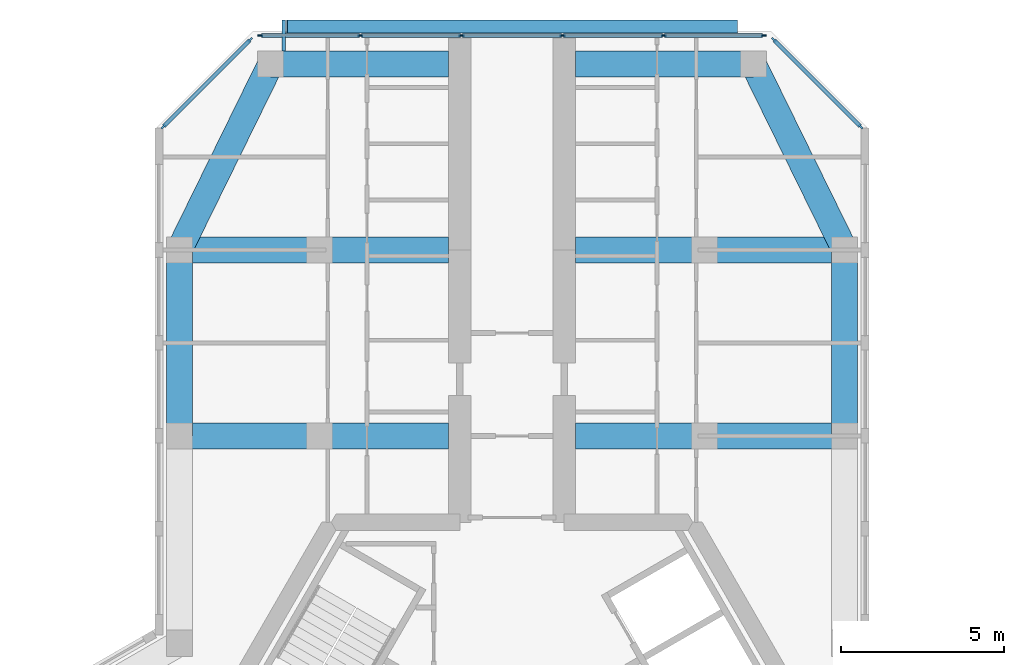
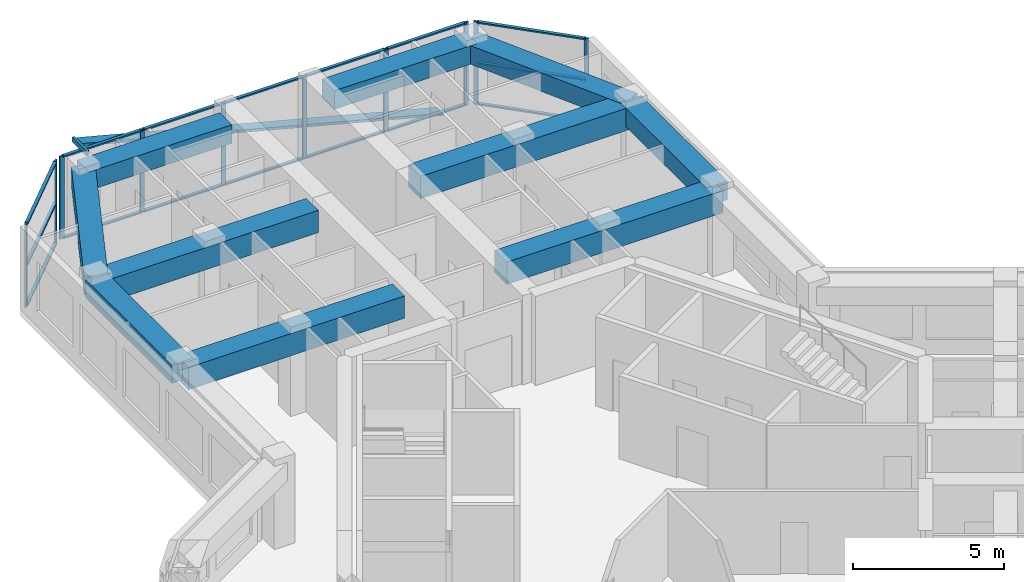
# One storey, part 5 of 14: 28 members, 10 beams, 3 elements without a shape of their own.
"""IFC4 building model written with IfcOpenShell, lengths in metres."""

from ifc_helpers import new_model, si_unit, direction, frame, origin, origin_2d, place, context, subcontext, project, spatial, rectangle, hollow_rectangle, extrude, material, material_profile, profile_set, type_object, element, aggregate, save


model = new_model("IFC4")

# Units and contexts
model_context = context("Model", 3, precision=1e-05, world=origin(), true_north=direction((0.0, 1.0)))
body_context = subcontext(model_context, "Body", "Model", "MODEL_VIEW")
ifc_project = project(units=[si_unit("LENGTHUNIT", "METRE"), si_unit("AREAUNIT", "SQUARE_METRE"), si_unit("VOLUMEUNIT", "CUBIC_METRE"), si_unit("PLANEANGLEUNIT", "RADIAN"), si_unit("MASSUNIT", "GRAM", prefix="KILO")], contexts=[model_context])

# Site, building, storey
site_placement = place(None, origin())
site = spatial("IfcSite", under=ifc_project, at=site_placement, CompositionType="ELEMENT")
building_placement = place(site_placement, origin())
building = spatial("IfcBuilding", under=site, at=building_placement, Name="Kosmar Iwan School Tower", CompositionType="ELEMENT")
storey_placement = place(building_placement, frame((0.0, 0.0, 285.39990234375)))
storey = spatial("IfcBuildingStorey", under=building, at=storey_placement, Name="L72", CompositionType="ELEMENT", Elevation=285.39990234375)

# Members
ifc_material_1 = material(Name="Black anodised aluminium", Category="aluminium")
ifc_material_profile_1 = material_profile(ifc_material_1, rectangle(XDim=0.10009765625, YDim=0.39990234375, at=origin_2d()), Name="FIN 100x400")
ifc_profile_set_1 = profile_set([ifc_material_profile_1], Name="Black anodised aluminium")
member_type_1 = type_object("IfcMemberType", Name="Diagonal fin 100x400", PredefinedType="USERDEFINED", material=ifc_profile_set_1)
member_1_placement = place(storey_placement, frame((6.898193359375, 24.800048828125, -0.14990234375), z_axis=(-0.967599450335, 0.0, 0.252490205179), x_axis=(0.252490205179, 0.0, 0.967599450335)))
element("IfcMember", 1, at=member_1_placement, inside=storey, type_object=member_type_1, Name="Diagonal fin L72-F08", ObjectType="FIN", PredefinedType="USERDEFINED", context=body_context, shape_type="SweptSolid", body=[
    extrude(rectangle(XDim=0.10009765625, YDim=0.39990234375, at=origin_2d()), origin(), (0.0, 0.0, 1.0), 14.25830078125),
])
ifc_material_2 = material(Name="Steel S355", Category="steel")
ifc_material_profile_2 = material_profile(ifc_material_2, hollow_rectangle(XDim=0.10009765625, YDim=0.199951171875, WallThickness=0.008056640625, at=origin_2d()), Name="RHS 200x100x8")
ifc_profile_set_2 = profile_set([ifc_material_profile_2], Name="Steel S355")
member_type_2 = type_object("IfcMemberType", Name="Fin bracket RHS 200x100", PredefinedType="USERDEFINED", material=ifc_profile_set_2)
member_2_placement = place(storey_placement, frame((-7.0, 24.050048828125, 3.47509765625), z_axis=(0.0, 1.0, 0.0), x_axis=(-1.0, 0.0, 0.0)))
element("IfcMember", 2, at=member_2_placement, inside=storey, type_object=member_type_2, Name="Fin bracket L73", ObjectType="FIN BRACKET", PredefinedType="USERDEFINED", context=body_context, shape_type="SweptSolid", body=[
    extrude(hollow_rectangle(XDim=0.10009765625, YDim=0.199951171875, WallThickness=0.008056640625, at=origin_2d()), origin(), (0.0, 0.0, 1.0), 0.949951171875),
])

# Curtain wall, members
ifc_material_3 = material(Name="Dark glass in black aluminium frame", Category="aluminium")
curtain_wall_type_1 = type_object("IfcCurtainWallType", Name="Chamfer curtain wall dark glass", PredefinedType="USERDEFINED", material=ifc_material_3)
curtain_wall_1_placement = place(storey_placement, origin())
curtain_wall_1 = element("IfcCurtainWall", 3, at=curtain_wall_1_placement, inside=storey, type_object=curtain_wall_type_1, Name="Curtain wall L72-F07", ObjectType="FACETED CURTAIN WALL", PredefinedType="USERDEFINED")
ifc_material_4 = material(Name="Black anodised aluminium", Category="aluminium")
ifc_material_profile_3 = material_profile(ifc_material_4, rectangle(XDim=0.06005859375, YDim=0.159912109375, at=origin_2d()), Name="MULLION 60x160")
ifc_profile_set_3 = profile_set([ifc_material_profile_3], Name="Black anodised aluminium")
member_type_3 = type_object("IfcMemberType", Name="Mullion 60x160", PredefinedType="MULLION", material=ifc_profile_set_3)
member_3_placement = place(storey_placement, frame((10.69775390625, 21.7255859375, 0.0), z_axis=(0.0, 0.0, 1.0), x_axis=(-0.707106781187, -0.707106781187, 0.0)))
member_3 = element("IfcMember", 4, at=member_3_placement, type_object=member_type_3, Name="CW2 mullion 1", PredefinedType="MULLION", context=body_context, shape_type="SweptSolid", body=[
    extrude(rectangle(XDim=0.06005859375, YDim=0.159912109375, at=origin_2d()), origin(), (0.0, 0.0, 1.0), 3.35009765625),
])
member_4_placement = place(storey_placement, frame((8.025390625, 24.397705078125, 0.0), z_axis=(0.0, 0.0, 1.0), x_axis=(-0.707106781187, -0.707106781187, 0.0)))
member_4 = element("IfcMember", 5, at=member_4_placement, type_object=member_type_3, Name="CW2 mullion 2", PredefinedType="MULLION", context=body_context, shape_type="SweptSolid", body=[
    extrude(rectangle(XDim=0.06005859375, YDim=0.159912109375, at=origin_2d()), origin(), (0.0, 0.0, 1.0), 3.35009765625),
])

ifc_material_5 = material(Name="Dark glass in black aluminium frame", Category="aluminium")
curtain_wall_type_2 = type_object("IfcCurtainWallType", Name="Tower curtain wall dark glass", PredefinedType="USERDEFINED", material=ifc_material_5)
curtain_wall_2_placement = place(storey_placement, origin())
curtain_wall_2 = element("IfcCurtainWall", 6, at=curtain_wall_2_placement, inside=storey, type_object=curtain_wall_type_2, Name="Curtain wall L72-F08", ObjectType="UNITISED CURTAIN WALL", PredefinedType="USERDEFINED")
member_5_placement = place(storey_placement, frame((7.71826171875, 24.52490234375, 0.0), z_axis=(0.0, 0.0, 1.0), x_axis=(0.0, -1.0, 0.0)))
member_5 = element("IfcMember", 7, at=member_5_placement, type_object=member_type_3, Name="CW1 mullion 1", PredefinedType="MULLION", context=body_context, shape_type="SweptSolid", body=[
    extrude(rectangle(XDim=0.06005859375, YDim=0.159912109375, at=origin_2d()), origin(), (0.0, 0.0, 1.0), 3.35009765625),
])
member_6_placement = place(storey_placement, frame((4.64892578125, 24.52490234375, 0.0), z_axis=(0.0, 0.0, 1.0), x_axis=(0.0, -1.0, 0.0)))
member_6 = element("IfcMember", 8, at=member_6_placement, type_object=member_type_3, Name="CW1 mullion 2", PredefinedType="MULLION", context=body_context, shape_type="SweptSolid", body=[
    extrude(rectangle(XDim=0.06005859375, YDim=0.159912109375, at=origin_2d()), origin(), (0.0, 0.0, 1.0), 3.35009765625),
])
member_7_placement = place(storey_placement, frame((1.549560546875, 24.52490234375, 0.0), z_axis=(0.0, 0.0, 1.0), x_axis=(0.0, -1.0, 0.0)))
member_7 = element("IfcMember", 9, at=member_7_placement, type_object=member_type_3, Name="CW1 mullion 3", PredefinedType="MULLION", context=body_context, shape_type="SweptSolid", body=[
    extrude(rectangle(XDim=0.06005859375, YDim=0.159912109375, at=origin_2d()), origin(), (0.0, 0.0, 1.0), 3.35009765625),
])
member_8_placement = place(storey_placement, frame((-1.549560546875, 24.52490234375, 0.0), z_axis=(0.0, 0.0, 1.0), x_axis=(0.0, -1.0, 0.0)))
member_8 = element("IfcMember", 10, at=member_8_placement, type_object=member_type_3, Name="CW1 mullion 4", PredefinedType="MULLION", context=body_context, shape_type="SweptSolid", body=[
    extrude(rectangle(XDim=0.06005859375, YDim=0.159912109375, at=origin_2d()), origin(), (0.0, 0.0, 1.0), 3.35009765625),
])
member_9_placement = place(storey_placement, frame((-4.64892578125, 24.52490234375, 0.0), z_axis=(0.0, 0.0, 1.0), x_axis=(0.0, -1.0, 0.0)))
member_9 = element("IfcMember", 11, at=member_9_placement, type_object=member_type_3, Name="CW1 mullion 5", PredefinedType="MULLION", context=body_context, shape_type="SweptSolid", body=[
    extrude(rectangle(XDim=0.06005859375, YDim=0.159912109375, at=origin_2d()), origin(), (0.0, 0.0, 1.0), 3.35009765625),
])
member_10_placement = place(storey_placement, frame((-7.71826171875, 24.52490234375, 0.0), z_axis=(0.0, 0.0, 1.0), x_axis=(0.0, -1.0, 0.0)))
member_10 = element("IfcMember", 12, at=member_10_placement, type_object=member_type_3, Name="CW1 mullion 6", PredefinedType="MULLION", context=body_context, shape_type="SweptSolid", body=[
    extrude(rectangle(XDim=0.06005859375, YDim=0.159912109375, at=origin_2d()), origin(), (0.0, 0.0, 1.0), 3.35009765625),
])

curtain_wall_3_placement = place(storey_placement, origin())
curtain_wall_3 = element("IfcCurtainWall", 13, at=curtain_wall_3_placement, inside=storey, type_object=curtain_wall_type_1, Name="Curtain wall L72-F09", ObjectType="FACETED CURTAIN WALL", PredefinedType="USERDEFINED")
member_11_placement = place(storey_placement, frame((-8.025390625, 24.397705078125, 0.0), z_axis=(0.0, 0.0, 1.0), x_axis=(0.707106781187, -0.707106781187, 0.0)))
member_11 = element("IfcMember", 14, at=member_11_placement, type_object=member_type_3, Name="CW2 mullion 1", PredefinedType="MULLION", context=body_context, shape_type="SweptSolid", body=[
    extrude(rectangle(XDim=0.06005859375, YDim=0.159912109375, at=origin_2d()), origin(), (0.0, 0.0, 1.0), 3.35009765625),
])
member_12_placement = place(storey_placement, frame((-10.69775390625, 21.7255859375, 0.0), z_axis=(0.0, 0.0, 1.0), x_axis=(0.707106781187, -0.707106781187, 0.0)))
member_12 = element("IfcMember", 15, at=member_12_placement, type_object=member_type_3, Name="CW2 mullion 2", PredefinedType="MULLION", context=body_context, shape_type="SweptSolid", body=[
    extrude(rectangle(XDim=0.06005859375, YDim=0.159912109375, at=origin_2d()), origin(), (0.0, 0.0, 1.0), 3.35009765625),
])

# Beams
ifc_material_6 = material(Name="Concrete C50/60", Category="concrete")
ifc_material_profile_4 = material_profile(ifc_material_6, rectangle(XDim=0.800048828125, YDim=0.75, at=origin_2d()), Name="RC 800x750")
ifc_profile_set_4 = profile_set([ifc_material_profile_4], Name="Concrete C50/60")
beam_type_1 = type_object("IfcBeamType", Name="RC edge beam 800x750", PredefinedType="BEAM", material=ifc_profile_set_4)
for number, where, z_axis, x_axis, name in (
    (16, (-10.199951171875, 12.25, 2.97509765625), (0.0, 1.0, 0.0), (-1.0, 0.0, 0.0), "Edge beam AL2"),
    (17, (10.199951171875, 12.25, 2.97509765625), (0.0, 1.0, 0.0), (-1.0, 0.0, 0.0), "Edge beam AR2"),
):
    element("IfcBeam", number, at=place(storey_placement, frame(where, z_axis=z_axis, x_axis=x_axis)), inside=storey, type_object=beam_type_1, Name=name, PredefinedType="BEAM", context=body_context, shape_type="SweptSolid", body=[
        extrude(rectangle(XDim=0.800048828125, YDim=0.75, at=origin_2d()), origin(), (0.0, 0.0, 1.0), 5.699951171875),
    ])
ifc_material_7 = material(Name="Concrete C50/60", Category="concrete")
ifc_material_profile_5 = material_profile(ifc_material_7, rectangle(XDim=0.800048828125, YDim=0.75, at=origin_2d()), Name="RC 800x750")
ifc_profile_set_5 = profile_set([ifc_material_profile_5], Name="Concrete C50/60")
beam_type_2 = type_object("IfcBeamType", Name="RC tip beam 800x750", PredefinedType="BEAM", material=ifc_profile_set_5)
beam_1_placement = place(storey_placement, frame((-10.199951171875, 17.949951171875, 2.97509765625), z_axis=(0.440913116462, 0.897549788999, 0.0), x_axis=(-0.897549788999, 0.440913116462, 0.0)))
element("IfcBeam", 18, at=beam_1_placement, inside=storey, type_object=beam_type_2, Name="Tip beam AL", PredefinedType="BEAM", context=body_context, shape_type="SweptSolid", body=[
    extrude(rectangle(XDim=0.800048828125, YDim=0.75, at=origin_2d()), origin(), (0.0, 0.0, 1.0), 6.3505859375),
])
beam_2_placement = place(storey_placement, frame((-7.39990234375, 23.64990234375, 2.97509765625), z_axis=(1.0, 0.0, 0.0), x_axis=(0.0, 1.0, 0.0)))
element("IfcBeam", 19, at=beam_2_placement, inside=storey, type_object=beam_type_2, Name="Tip beam AL to corridor wall", PredefinedType="BEAM", context=body_context, shape_type="SweptSolid", body=[
    extrude(rectangle(XDim=0.800048828125, YDim=0.75, at=origin_2d()), origin(), (0.0, 0.0, 1.0), 5.449951171875),
])
beam_3_placement = place(storey_placement, frame((10.199951171875, 17.949951171875, 2.97509765625), z_axis=(-0.440913116462, 0.897549788999, 0.0), x_axis=(-0.897549788999, -0.440913116462, 0.0)))
element("IfcBeam", 20, at=beam_3_placement, inside=storey, type_object=beam_type_2, Name="Tip beam AR", PredefinedType="BEAM", context=body_context, shape_type="SweptSolid", body=[
    extrude(rectangle(XDim=0.800048828125, YDim=0.75, at=origin_2d()), origin(), (0.0, 0.0, 1.0), 6.3505859375),
])
beam_4_placement = place(storey_placement, frame((7.39990234375, 23.64990234375, 2.97509765625), z_axis=(-1.0, 0.0, 0.0), x_axis=(0.0, -1.0, 0.0)))
element("IfcBeam", 21, at=beam_4_placement, inside=storey, type_object=beam_type_2, Name="Tip beam AR to corridor wall", PredefinedType="BEAM", context=body_context, shape_type="SweptSolid", body=[
    extrude(rectangle(XDim=0.800048828125, YDim=0.75, at=origin_2d()), origin(), (0.0, 0.0, 1.0), 5.449951171875),
])
ifc_material_8 = material(Name="Concrete C50/60", Category="concrete")
ifc_material_profile_6 = material_profile(ifc_material_8, rectangle(XDim=0.800048828125, YDim=0.89990234375, at=origin_2d()), Name="RC 800x900")
ifc_profile_set_6 = profile_set([ifc_material_profile_6], Name="Concrete C50/60")
beam_type_3 = type_object("IfcBeamType", Name="RC transverse beam 800x900", PredefinedType="BEAM", material=ifc_profile_set_6)
for number, where, z_axis, x_axis, name in (
    (22, (-10.199951171875, 12.25, 2.900146484375), (1.0, 0.0, 0.0), (0.0, 1.0, 0.0), "Transverse beam AL1"),
    (23, (-10.199951171875, 17.949951171875, 2.900146484375), (1.0, 0.0, 0.0), (0.0, 1.0, 0.0), "Transverse beam AL2"),
    (24, (10.199951171875, 12.25, 2.900146484375), (-1.0, 0.0, 0.0), (0.0, -1.0, 0.0), "Transverse beam AR1"),
    (25, (10.199951171875, 17.949951171875, 2.900146484375), (-1.0, 0.0, 0.0), (0.0, -1.0, 0.0), "Transverse beam AR2"),
):
    element("IfcBeam", number, at=place(storey_placement, frame(where, z_axis=z_axis, x_axis=x_axis)), inside=storey, type_object=beam_type_3, Name=name, PredefinedType="BEAM", context=body_context, shape_type="SweptSolid", body=[
        extrude(rectangle(XDim=0.800048828125, YDim=0.89990234375, at=origin_2d()), origin(), (0.0, 0.0, 1.0), 8.25),
    ])

# Member
ifc_material_9 = material(Name="Black anodised aluminium", Category="aluminium")
ifc_material_profile_7 = material_profile(ifc_material_9, rectangle(XDim=0.1201171875, YDim=0.06005859375, at=origin_2d()), Name="TRANSOM 60x120")
ifc_profile_set_7 = profile_set([ifc_material_profile_7], Name="Black anodised aluminium")
member_type_4 = type_object("IfcMemberType", Name="Transom 60x120", PredefinedType="USERDEFINED", material=ifc_profile_set_7)
member_13_placement = place(storey_placement, frame((10.676513671875, 21.746826171875, 0.030029296875), z_axis=(-0.707139603466, 0.707073957383, 0.0), x_axis=(-0.707073957383, -0.707139603466, 0.0)))
member_13 = element("IfcMember", 26, at=member_13_placement, type_object=member_type_4, Name="CW2 transom 1.1", ObjectType="TRANSOM", PredefinedType="USERDEFINED", context=body_context, shape_type="SweptSolid", body=[
    extrude(rectangle(XDim=0.1201171875, YDim=0.06005859375, at=origin_2d()), origin(), (0.0, 0.0, 1.0), 3.718994140625),
])

member_14_placement = place(storey_placement, frame((10.676513671875, 21.746826171875, 1.675048828125), z_axis=(-0.707139603466, 0.707073957383, 0.0), x_axis=(-0.707073957383, -0.707139603466, 0.0)))
member_14 = element("IfcMember", 27, at=member_14_placement, type_object=member_type_4, Name="CW2 transom 1.2", ObjectType="TRANSOM", PredefinedType="USERDEFINED", context=body_context, shape_type="SweptSolid", body=[
    extrude(rectangle(XDim=0.1201171875, YDim=0.06005859375, at=origin_2d()), origin(), (0.0, 0.0, 1.0), 3.718994140625),
])

member_15_placement = place(storey_placement, frame((10.676513671875, 21.746826171875, 3.320068359375), z_axis=(-0.707139603466, 0.707073957383, 0.0), x_axis=(-0.707073957383, -0.707139603466, 0.0)))
member_15 = element("IfcMember", 28, at=member_15_placement, type_object=member_type_4, Name="CW2 transom 1.3", ObjectType="TRANSOM", PredefinedType="USERDEFINED", context=body_context, shape_type="SweptSolid", body=[
    extrude(rectangle(XDim=0.1201171875, YDim=0.06005859375, at=origin_2d()), origin(), (0.0, 0.0, 1.0), 3.718994140625),
])

aggregate(curtain_wall_1, [member_3, member_4, member_13, member_14, member_15])

member_16_placement = place(storey_placement, frame((7.688232421875, 24.52490234375, 0.030029296875), z_axis=(-1.0, 0.0, 0.0), x_axis=(0.0, -1.0, 0.0)))
member_16 = element("IfcMember", 29, at=member_16_placement, type_object=member_type_4, Name="CW1 transom 1.1", ObjectType="TRANSOM", PredefinedType="USERDEFINED", context=body_context, shape_type="SweptSolid", body=[
    extrude(rectangle(XDim=0.1201171875, YDim=0.06005859375, at=origin_2d()), origin(), (0.0, 0.0, 1.0), 3.00927734375),
])

member_17_placement = place(storey_placement, frame((7.688232421875, 24.52490234375, 3.320068359375), z_axis=(-1.0, 0.0, 0.0), x_axis=(0.0, -1.0, 0.0)))
member_17 = element("IfcMember", 30, at=member_17_placement, type_object=member_type_4, Name="CW1 transom 1.2", ObjectType="TRANSOM", PredefinedType="USERDEFINED", context=body_context, shape_type="SweptSolid", body=[
    extrude(rectangle(XDim=0.1201171875, YDim=0.06005859375, at=origin_2d()), origin(), (0.0, 0.0, 1.0), 3.00927734375),
])

member_18_placement = place(storey_placement, frame((4.618896484375, 24.52490234375, 0.030029296875), z_axis=(-1.0, 0.0, 0.0), x_axis=(0.0, -1.0, 0.0)))
member_18 = element("IfcMember", 31, at=member_18_placement, type_object=member_type_4, Name="CW1 transom 2.1", ObjectType="TRANSOM", PredefinedType="USERDEFINED", context=body_context, shape_type="SweptSolid", body=[
    extrude(rectangle(XDim=0.1201171875, YDim=0.06005859375, at=origin_2d()), origin(), (0.0, 0.0, 1.0), 3.039306640625),
])

member_19_placement = place(storey_placement, frame((4.618896484375, 24.52490234375, 3.320068359375), z_axis=(-1.0, 0.0, 0.0), x_axis=(0.0, -1.0, 0.0)))
member_19 = element("IfcMember", 32, at=member_19_placement, type_object=member_type_4, Name="CW1 transom 2.2", ObjectType="TRANSOM", PredefinedType="USERDEFINED", context=body_context, shape_type="SweptSolid", body=[
    extrude(rectangle(XDim=0.1201171875, YDim=0.06005859375, at=origin_2d()), origin(), (0.0, 0.0, 1.0), 3.039306640625),
])

member_20_placement = place(storey_placement, frame((1.51953125, 24.52490234375, 0.030029296875), z_axis=(-1.0, 0.0, 0.0), x_axis=(0.0, -1.0, 0.0)))
member_20 = element("IfcMember", 33, at=member_20_placement, type_object=member_type_4, Name="CW1 transom 3.1", ObjectType="TRANSOM", PredefinedType="USERDEFINED", context=body_context, shape_type="SweptSolid", body=[
    extrude(rectangle(XDim=0.1201171875, YDim=0.06005859375, at=origin_2d()), origin(), (0.0, 0.0, 1.0), 3.0390625),
])

member_21_placement = place(storey_placement, frame((1.51953125, 24.52490234375, 3.320068359375), z_axis=(-1.0, 0.0, 0.0), x_axis=(0.0, -1.0, 0.0)))
member_21 = element("IfcMember", 34, at=member_21_placement, type_object=member_type_4, Name="CW1 transom 3.2", ObjectType="TRANSOM", PredefinedType="USERDEFINED", context=body_context, shape_type="SweptSolid", body=[
    extrude(rectangle(XDim=0.1201171875, YDim=0.06005859375, at=origin_2d()), origin(), (0.0, 0.0, 1.0), 3.0390625),
])

member_22_placement = place(storey_placement, frame((-1.57958984375, 24.52490234375, 0.030029296875), z_axis=(-1.0, 0.0, 0.0), x_axis=(0.0, -1.0, 0.0)))
member_22 = element("IfcMember", 35, at=member_22_placement, type_object=member_type_4, Name="CW1 transom 4.1", ObjectType="TRANSOM", PredefinedType="USERDEFINED", context=body_context, shape_type="SweptSolid", body=[
    extrude(rectangle(XDim=0.1201171875, YDim=0.06005859375, at=origin_2d()), origin(), (0.0, 0.0, 1.0), 3.039306640625),
])

member_23_placement = place(storey_placement, frame((-1.57958984375, 24.52490234375, 3.320068359375), z_axis=(-1.0, 0.0, 0.0), x_axis=(0.0, -1.0, 0.0)))
member_23 = element("IfcMember", 36, at=member_23_placement, type_object=member_type_4, Name="CW1 transom 4.2", ObjectType="TRANSOM", PredefinedType="USERDEFINED", context=body_context, shape_type="SweptSolid", body=[
    extrude(rectangle(XDim=0.1201171875, YDim=0.06005859375, at=origin_2d()), origin(), (0.0, 0.0, 1.0), 3.039306640625),
])

member_24_placement = place(storey_placement, frame((-4.678955078125, 24.52490234375, 0.030029296875), z_axis=(-1.0, 0.0, 0.0), x_axis=(0.0, -1.0, 0.0)))
member_24 = element("IfcMember", 37, at=member_24_placement, type_object=member_type_4, Name="CW1 transom 5.1", ObjectType="TRANSOM", PredefinedType="USERDEFINED", context=body_context, shape_type="SweptSolid", body=[
    extrude(rectangle(XDim=0.1201171875, YDim=0.06005859375, at=origin_2d()), origin(), (0.0, 0.0, 1.0), 3.00927734375),
])

member_25_placement = place(storey_placement, frame((-4.678955078125, 24.52490234375, 3.320068359375), z_axis=(-1.0, 0.0, 0.0), x_axis=(0.0, -1.0, 0.0)))
member_25 = element("IfcMember", 38, at=member_25_placement, type_object=member_type_4, Name="CW1 transom 5.2", ObjectType="TRANSOM", PredefinedType="USERDEFINED", context=body_context, shape_type="SweptSolid", body=[
    extrude(rectangle(XDim=0.1201171875, YDim=0.06005859375, at=origin_2d()), origin(), (0.0, 0.0, 1.0), 3.00927734375),
])

aggregate(curtain_wall_2, [member_5, member_6, member_7, member_8, member_9, member_10, member_16, member_17, member_18, member_19, member_20, member_21, member_22, member_23, member_24, member_25])

member_26_placement = place(storey_placement, frame((-8.046630859375, 24.37646484375, 0.030029296875), z_axis=(-0.707139603466, -0.707073957383, 0.0), x_axis=(0.707073957383, -0.707139603466, 0.0)))
member_26 = element("IfcMember", 39, at=member_26_placement, type_object=member_type_4, Name="CW2 transom 1.1", ObjectType="TRANSOM", PredefinedType="USERDEFINED", context=body_context, shape_type="SweptSolid", body=[
    extrude(rectangle(XDim=0.1201171875, YDim=0.06005859375, at=origin_2d()), origin(), (0.0, 0.0, 1.0), 3.718994140625),
])

member_27_placement = place(storey_placement, frame((-8.046630859375, 24.37646484375, 1.675048828125), z_axis=(-0.707139603466, -0.707073957383, 0.0), x_axis=(0.707073957383, -0.707139603466, 0.0)))
member_27 = element("IfcMember", 40, at=member_27_placement, type_object=member_type_4, Name="CW2 transom 1.2", ObjectType="TRANSOM", PredefinedType="USERDEFINED", context=body_context, shape_type="SweptSolid", body=[
    extrude(rectangle(XDim=0.1201171875, YDim=0.06005859375, at=origin_2d()), origin(), (0.0, 0.0, 1.0), 3.718994140625),
])

member_28_placement = place(storey_placement, frame((-8.046630859375, 24.37646484375, 3.320068359375), z_axis=(-0.707139603466, -0.707073957383, 0.0), x_axis=(0.707073957383, -0.707139603466, 0.0)))
member_28 = element("IfcMember", 41, at=member_28_placement, type_object=member_type_4, Name="CW2 transom 1.3", ObjectType="TRANSOM", PredefinedType="USERDEFINED", context=body_context, shape_type="SweptSolid", body=[
    extrude(rectangle(XDim=0.1201171875, YDim=0.06005859375, at=origin_2d()), origin(), (0.0, 0.0, 1.0), 3.718994140625),
])

aggregate(curtain_wall_3, [member_11, member_12, member_26, member_27, member_28])

save(model, "model.ifc")
